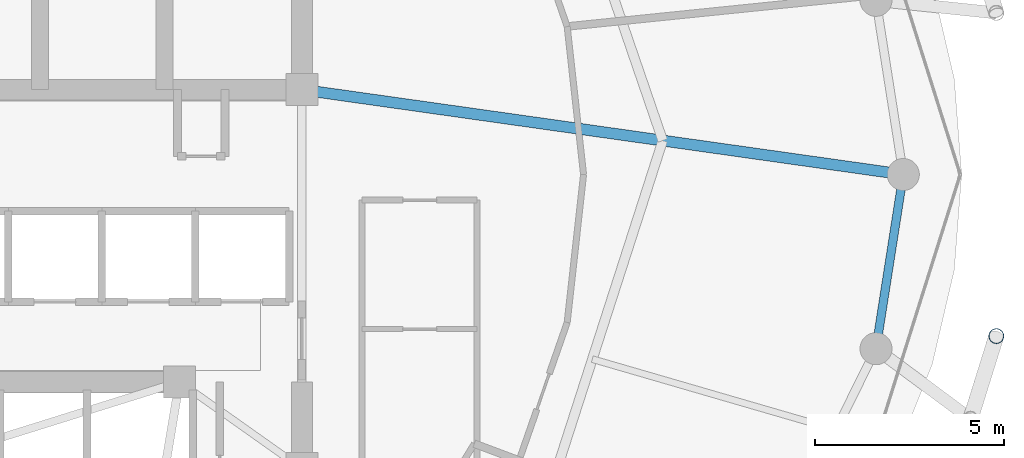
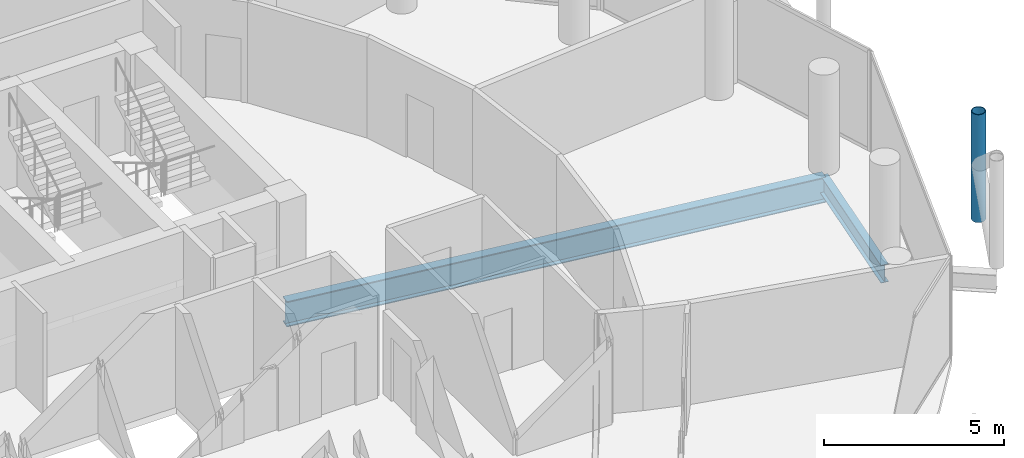
# One storey, part 14 of 27: 2 beams, 1 member.
"""IFC4 building model written with IfcOpenShell, lengths in metres."""

from ifc_helpers import new_model, si_unit, direction, frame, origin, origin_2d, place, context, subcontext, project, spatial, hollow_circle, i_section, extrude, material, material_profile, profile_set, type_object, element, save


model = new_model("IFC4")

# Units and contexts
model_context = context("Model", 3, precision=1e-05, world=origin(), true_north=direction((0.0, 1.0)))
body_context = subcontext(model_context, "Body", "Model", "MODEL_VIEW")
ifc_project = project(units=[si_unit("LENGTHUNIT", "METRE"), si_unit("AREAUNIT", "SQUARE_METRE"), si_unit("VOLUMEUNIT", "CUBIC_METRE"), si_unit("PLANEANGLEUNIT", "RADIAN"), si_unit("MASSUNIT", "GRAM", prefix="KILO")], contexts=[model_context])

# Site, building, storey
site_placement = place(None, origin())
site = spatial("IfcSite", under=ifc_project, at=site_placement, CompositionType="ELEMENT")
building_placement = place(site_placement, origin())
building = spatial("IfcBuilding", under=site, at=building_placement, Name="Nuhasar Tower", CompositionType="ELEMENT")
storey_placement = place(building_placement, frame((0.0, 0.0, 215.449951171875)))
storey = spatial("IfcBuildingStorey", under=building, at=storey_placement, Name="L52", CompositionType="ELEMENT", Elevation=215.449951171875)

# Beams
ifc_material_1 = material(Name="Steel S355", Category="steel")
ifc_material_profile_1 = material_profile(ifc_material_1, i_section(OverallWidth=0.2919921875, OverallDepth=0.85888671875, WebThickness=0.01708984375, FlangeThickness=0.031005859375, at=origin_2d()), Name="W33X169")
ifc_profile_set_1 = profile_set([ifc_material_profile_1], Name="Steel S355")
beam_type_1 = type_object("IfcBeamType", Name="BM-POD-W33X169", PredefinedType="BEAM", material=ifc_profile_set_1)
beam_1_placement = place(storey_placement, frame((44.300048828125, 29.050048828125, -0.6689453125), z_axis=(0.990196233464, -0.139683281866, 0.0), x_axis=(0.139683281866, 0.990196233464, 0.0)))
element("IfcBeam", 1, at=beam_1_placement, inside=storey, type_object=beam_type_1, Name="L52 Radial Floor Girder 04", PredefinedType="BEAM", context=body_context, shape_type="SweptSolid", body=[
    extrude(i_section(OverallWidth=0.2919921875, OverallDepth=0.85888671875, WebThickness=0.01708984375, FlangeThickness=0.031005859375, at=origin_2d()), origin(), (0.0, 0.0, 1.0), 16.10791015625),
])
ifc_material_profile_2 = material_profile(ifc_material_1, i_section(OverallWidth=0.22802734375, OverallDepth=0.60791015625, WebThickness=0.01123046875, FlangeThickness=0.017333984375, at=origin_2d()), Name="W24X76")
ifc_profile_set_2 = profile_set([ifc_material_profile_2], Name="Steel S355")
beam_type_2 = type_object("IfcBeamType", Name="BM-RING-W24X76", PredefinedType="SPANDREL", material=ifc_profile_set_2)
beam_2_placement = place(storey_placement, frame((59.52587890625, 22.179931640625, -0.5439453125), z_axis=(0.154841886404, 0.987939264436, 0.0), x_axis=(-0.987939264436, 0.154841886404, 0.0)))
element("IfcBeam", 2, at=beam_2_placement, inside=storey, type_object=beam_type_2, Name="L52 Perimeter Ring Spandrel 24", PredefinedType="SPANDREL", context=body_context, shape_type="SweptSolid", body=[
    extrude(i_section(OverallWidth=0.22802734375, OverallDepth=0.60791015625, WebThickness=0.01123046875, FlangeThickness=0.017333984375, at=origin_2d()), origin(), (0.0, 0.0, 1.0), 4.676513671875),
])

# Member
ifc_material_2 = material(Name="Steel S460", Category="steel")
ifc_material_profile_3 = material_profile(ifc_material_2, hollow_circle(Radius=0.203125, WallThickness=0.01904296875, at=origin_2d()), Name="HSS406.4X19.1")
ifc_profile_set_3 = profile_set([ifc_material_profile_3], Name="Steel S460")
member_type = type_object("IfcMemberType", Name="EXO-BRONZE-406", PredefinedType="BRACE", material=ifc_profile_set_3)
member_placement = place(storey_placement, frame((62.718017578125, 22.513916015625, 0.0), z_axis=(0.0, 0.0, 1.0), x_axis=(1.0, 0.0, 0.0)))
element("IfcMember", 3, at=member_placement, inside=storey, type_object=member_type, Name="L52 Exoskeleton Chord Column EC-12B", PredefinedType="BRACE", context=body_context, shape_type="SweptSolid", body=[
    extrude(hollow_circle(Radius=0.203125, WallThickness=0.01904296875, at=origin_2d()), origin(), (0.0, 0.0, 1.0), 3.650146484375),
])

save(model, "model.ifc")
